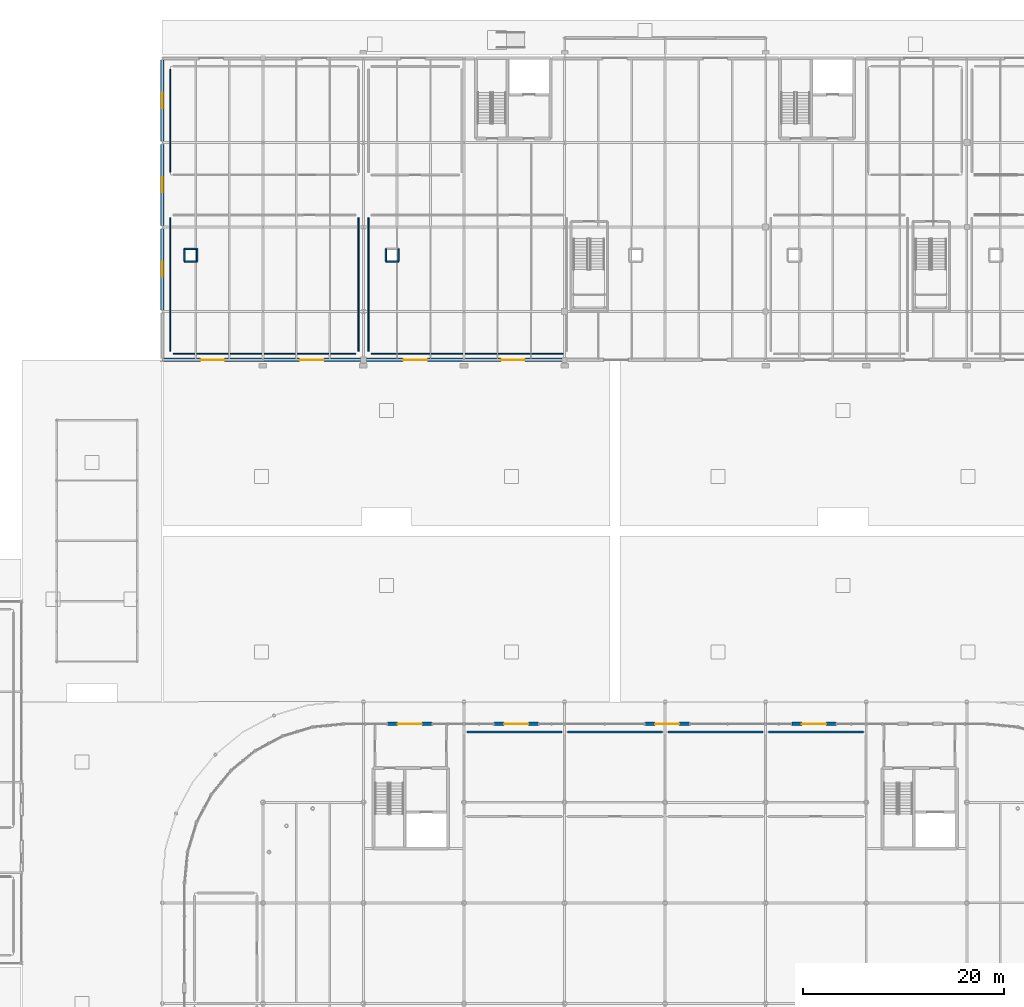
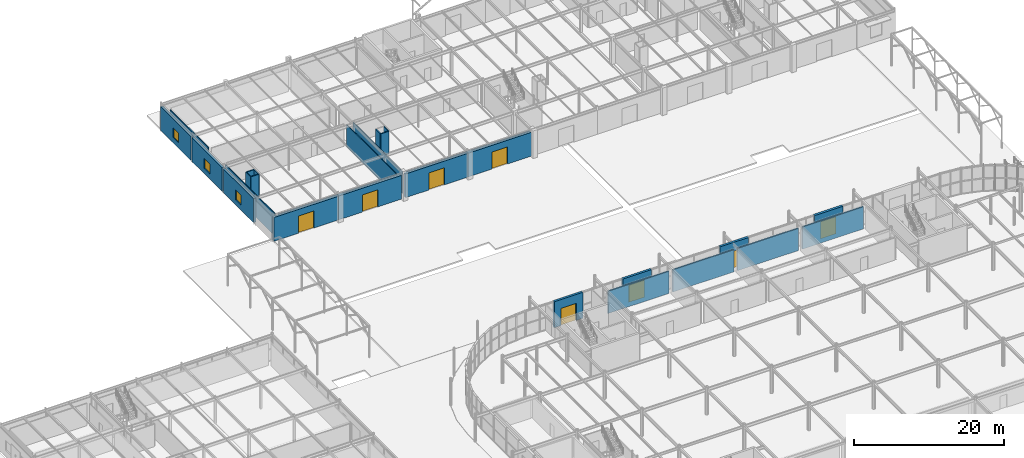
# One storey, part 91 of 119: 28 walls, 8 doors, 3 windows, 11 openings.
"""IFC4 building model written with IfcOpenShell, lengths in metres."""

from ifc_helpers import new_model, si_unit, derived_unit, direction, frame, frame_2d, origin, place, context, subcontext, project, spatial, rectangle, extrude, material, layer, layer_set, type_object, element, fill, save


model = new_model("IFC4")

# Units and contexts
model_context = context("Model", 3, precision=1e-05, world=origin(), true_north=direction((0.0, 1.0)))
body_context = subcontext(model_context, "Body", "Model", "MODEL_VIEW")
ifc_project = project(units=[si_unit("LENGTHUNIT", "METRE"), si_unit("AREAUNIT", "SQUARE_METRE"), si_unit("VOLUMEUNIT", "CUBIC_METRE"), si_unit("PLANEANGLEUNIT", "RADIAN"), si_unit("MASSUNIT", "GRAM", prefix="KILO"), derived_unit("THERMALTRANSMITTANCEUNIT", [(si_unit("POWERUNIT", "WATT"), 1), (si_unit("LENGTHUNIT", "METRE"), -2), (si_unit("THERMODYNAMICTEMPERATUREUNIT", "KELVIN"), -1)])], contexts=[model_context])

# Site, building, storey
site_placement = place(None, origin())
site = spatial("IfcSite", under=ifc_project, at=site_placement, CompositionType="ELEMENT")
building_placement = place(site_placement, origin())
building = spatial("IfcBuilding", under=site, at=building_placement, Name="Cinnabar Yard Market Hall", CompositionType="ELEMENT")
storey_placement = place(building_placement, origin())
storey = spatial("IfcBuildingStorey", under=building, at=storey_placement, Name="L00", CompositionType="ELEMENT", Elevation=0.0)

# Walls
ifc_material_1 = material(Name="Acoustic steel-stud plasterboard", Category="steel")
ifc_layer_1 = layer(ifc_material_1, 0.1201171875)
ifc_layer_set_1 = layer_set([ifc_layer_1], Name="Acoustic steel-stud plasterboard")
wall_type_1 = type_object("IfcWallType", Name="WL-PT120", PredefinedType="PARTITIONING", material=ifc_layer_set_1)
wall_1_placement = place(storey_placement, frame((67.080078125, 108.60009765625, 0.0), z_axis=(0.0, 0.0, 1.0), x_axis=(1.0, 0.0, 0.0)))
element("IfcWall", 1, at=wall_1_placement, inside=storey, type_object=wall_type_1, Name="Partition Sourdough Mill and Bakery Workshop south", PredefinedType="PARTITIONING", context=body_context, shape_type="SweptSolid", body=[
    extrude(rectangle(XDim=18.139892578125, YDim=0.1201171875, at=frame_2d((9.06982421875, 0.0), x_axis=(1.0, 0.0))), origin(), (0.0, 0.0, 1.0), 3.6201171875),
])
for number, where, z_axis, x_axis, name in (
    (2, (85.5, 108.8798828125, 0.0), (0.0, 0.0, 1.0), (0.0, 1.0, 0.0), "Partition Sourdough Mill and Bakery Workshop east"),
    (3, (66.800048828125, 122.1201171875, 0.0), (0.0, 0.0, 1.0), (0.0, -1.0, 0.0), "Partition Sourdough Mill and Bakery Workshop west"),
):
    element("IfcWall", number, at=place(storey_placement, frame(where, z_axis=z_axis, x_axis=x_axis)), inside=storey, type_object=wall_type_1, Name=name, PredefinedType="PARTITIONING", context=body_context, shape_type="SweptSolid", body=[
        extrude(rectangle(XDim=13.240234375, YDim=0.1201171875, at=frame_2d((6.6201171875, 0.0), x_axis=(1.0, 0.0))), origin(), (0.0, 0.0, 1.0), 3.6201171875),
    ])
wall_2_placement = place(storey_placement, frame((86.780029296875, 108.60009765625, 0.0), z_axis=(0.0, 0.0, 1.0), x_axis=(1.0, 0.0, 0.0)))
element("IfcWall", 4, at=wall_2_placement, inside=storey, type_object=wall_type_1, Name="Partition Olive Oil Press and Preserve Workshop south", PredefinedType="PARTITIONING", context=body_context, shape_type="SweptSolid", body=[
    extrude(rectangle(XDim=19.139892578125, YDim=0.1201171875, at=frame_2d((9.56982421875, 0.0), x_axis=(1.0, 0.0))), origin(), (0.0, 0.0, 1.0), 3.6201171875),
])
wall_3_placement = place(storey_placement, frame((86.5, 122.1201171875, 0.0), z_axis=(0.0, 0.0, 1.0), x_axis=(0.0, -1.0, 0.0)))
element("IfcWall", 5, at=wall_3_placement, inside=storey, type_object=wall_type_1, Name="Partition Olive Oil Press and Preserve Workshop west", PredefinedType="PARTITIONING", context=body_context, shape_type="SweptSolid", body=[
    extrude(rectangle(XDim=13.240234375, YDim=0.1201171875, at=frame_2d((6.6201171875, 0.0), x_axis=(1.0, 0.0))), origin(), (0.0, 0.0, 1.0), 3.6201171875),
])
wall_4_placement = place(storey_placement, frame((66.800048828125, 136.919921875, 0.0), z_axis=(0.0, 0.0, 1.0), x_axis=(0.0, -1.0, 0.0)))
element("IfcWall", 6, at=wall_4_placement, inside=storey, type_object=wall_type_1, Name="Partition Producers Community Room 01 west", PredefinedType="PARTITIONING", context=body_context, shape_type="SweptSolid", body=[
    extrude(rectangle(XDim=10.239990234375, YDim=0.1201171875, at=frame_2d((5.1201171875, 0.0), x_axis=(1.0, 0.0))), origin(), (0.0, 0.0, 1.0), 3.6201171875),
])
ifc_material_2 = material(Name="Fire-rated steel-stud plasterboard", Category="steel")
ifc_layer_2 = layer(ifc_material_2, 0.14990234375)
ifc_layer_set_2 = layer_set([ifc_layer_2], Name="Fire-rated steel-stud plasterboard")
wall_type_2 = type_object("IfcWallType", Name="WL-PT150", PredefinedType="PARTITIONING", material=ifc_layer_set_2)
for number, where, z_axis, x_axis, name in (
    (7, (68.199951171875, 117.800048828125, 0.0), (0.0, 0.0, 1.0), (1.0, 0.0, 0.0), "Service Shaft Wall L00-1-1"),
    (8, (69.449951171875, 117.800048828125, 0.0), (0.0, 0.0, 1.0), (0.0, 1.0, 0.0), "Service Shaft Wall L00-1-2"),
    (9, (69.449951171875, 119.050048828125, 0.0), (0.0, 0.0, 1.0), (-1.0, 0.0, 0.0), "Service Shaft Wall L00-1-3"),
    (10, (68.199951171875, 119.050048828125, 0.0), (0.0, 0.0, 1.0), (0.0, -1.0, 0.0), "Service Shaft Wall L00-1-4"),
    (11, (88.239990234375, 117.800048828125, 0.0), (0.0, 0.0, 1.0), (1.0, 0.0, 0.0), "Service Shaft Wall L00-2-1"),
    (12, (89.489990234375, 117.800048828125, 0.0), (0.0, 0.0, 1.0), (0.0, 1.0, 0.0), "Service Shaft Wall L00-2-2"),
    (13, (88.239990234375, 119.050048828125, 0.0), (0.0, 0.0, 1.0), (0.0, -1.0, 0.0), "Service Shaft Wall L00-2-4"),
):
    element("IfcWall", number, at=place(storey_placement, frame(where, z_axis=z_axis, x_axis=x_axis)), inside=storey, type_object=wall_type_2, Name=name, PredefinedType="PARTITIONING", context=body_context, shape_type="SweptSolid", body=[
        extrude(rectangle(XDim=1.25, YDim=0.14990234375, at=frame_2d((0.625, 0.0), x_axis=(1.0, 0.0))), origin(), (0.0, 0.0, 1.0), 3.760009765625),
    ])
ifc_material_3 = material(Name="Demountable timber-framed stall partition", Category="wood")
ifc_layer_3 = layer(ifc_material_3, 0.199951171875)
ifc_layer_set_3 = layer_set([ifc_layer_3], Name="Demountable timber-framed stall partition")
wall_type_3 = type_object("IfcWallType", Name="WL-PT200", PredefinedType="MOVABLE", material=ifc_layer_set_3)
for number, where, z_axis, x_axis, name in (
    (14, (105.719970703125, 71.0, 0.0), (0.0, 0.0, 1.0), (-1.0, 0.0, 0.0), "Partition Spice and Herb Stall 05 north"),
    (15, (115.719970703125, 71.0, 0.0), (0.0, 0.0, 1.0), (-1.0, 0.0, 0.0), "Partition South Australian Honey and Nut Stall 06 north"),
    (16, (125.719970703125, 71.0, 0.0), (0.0, 0.0, 1.0), (-1.0, 0.0, 0.0), "Partition Farmstead Dairy Stall 07 north"),
    (17, (135.719970703125, 71.0, 0.0), (0.0, 0.0, 1.0), (-1.0, 0.0, 0.0), "Partition Seafood and Oyster Stall 08 north"),
):
    element("IfcWall", number, at=place(storey_placement, frame(where, z_axis=z_axis, x_axis=x_axis)), inside=storey, type_object=wall_type_3, Name=name, PredefinedType="MOVABLE", context=body_context, shape_type="SweptSolid", body=[
        extrude(rectangle(XDim=9.43994140625, YDim=0.199951171875, at=frame_2d((4.719970703125, 0.0), x_axis=(1.0, 0.0))), origin(), (0.0, 0.0, 1.0), 3.6201171875),
    ])

# Wall, opening, door
ifc_material_4 = material(Name="Red sandstone ashlar over Concrete 32 MPa", Category="masonry")
ifc_layer_4 = layer(ifc_material_4, 0.35009765625)
ifc_layer_set_4 = layer_set([ifc_layer_4], Name="Red sandstone ashlar over Concrete 32 MPa")
wall_type_4 = type_object("IfcWallType", Name="WL-W-EXT1", PredefinedType="SOLIDWALL", material=ifc_layer_set_4)
wall_5_placement = place(storey_placement, frame((92.800048828125, 71.800048828125, 0.0), z_axis=(0.0, 0.0, 1.0), x_axis=(-1.0, 0.0, 0.0)))
wall_5 = element("IfcWall", 18, at=wall_5_placement, inside=storey, type_object=wall_type_4, Name="Market Hall North Courtyard Portal PTW", PredefinedType="SOLIDWALL", context=body_context, shape_type="SweptSolid", body=[
    extrude(rectangle(XDim=4.400146484375, YDim=0.35009765625, at=frame_2d((2.2001953125, 0.0), x_axis=(1.0, 0.0))), origin(), (0.0, 0.0, 1.0), 4.239990234375),
])
opening_1_placement = place(wall_5_placement, frame((1.0, 0.0, 0.0)))
opening_1 = element("IfcOpeningElement", 19, at=opening_1_placement, cuts=wall_5, Name="Opening ED-002", PredefinedType="OPENING", context=body_context, shape_type="SweptSolid", body=[
    extrude(rectangle(XDim=2.39990234375, YDim=2.800048828125, at=frame_2d((1.199951171875, 1.39990234375), x_axis=(1.0, 0.0))), frame((0.0, 0.18505859375, 0.0), z_axis=(0.0, -1.0, 0.0), x_axis=(1.0, 0.0, 0.0)), (0.0, 0.0, 1.0), 0.3701171875),
])
ifc_material_5 = material(Name="Anodised bronze aluminium and toughened glass", Category="aluminium")
door_type = type_object("IfcDoorType", Name="DR-D02", OperationType="NOTDEFINED", PredefinedType="DOOR", material=ifc_material_5)
door_1_placement = place(opening_1_placement, origin())
door_1 = element("IfcDoor", 20, at=door_1_placement, inside=storey, type_object=door_type, Name="Door ED-002", OperationType="DOUBLE_SWING_RIGHT", OverallHeight=2.800048828125, OverallWidth=2.39990234375, PredefinedType="DOOR", context=body_context, shape_type="SweptSolid", body=[
    extrude(rectangle(XDim=2.39990234375, YDim=2.800048828125, at=frame_2d((1.199951171875, 1.39990234375), x_axis=(1.0, 0.0))), frame((0.0, 0.02490234375, 0.0), z_axis=(0.0, -1.0, 0.0), x_axis=(1.0, 0.0, 0.0)), (0.0, 0.0, 1.0), 0.050048828125),
])
fill(opening_1, door_1)

wall_6_placement = place(storey_placement, frame((103.39990234375, 71.800048828125, 0.0), z_axis=(0.0, 0.0, 1.0), x_axis=(-1.0, 0.0, 0.0)))
wall_6 = element("IfcWall", 21, at=wall_6_placement, inside=storey, type_object=wall_type_4, Name="Market Hall North Courtyard Portal PTB2", PredefinedType="SOLIDWALL", context=body_context, shape_type="SweptSolid", body=[
    extrude(rectangle(XDim=4.39990234375, YDim=0.35009765625, at=frame_2d((2.199951171875, 0.0), x_axis=(1.0, 0.0))), origin(), (0.0, 0.0, 1.0), 4.239990234375),
])
opening_2_placement = place(wall_6_placement, frame((1.0, 0.0, 0.0)))
opening_2 = element("IfcOpeningElement", 22, at=opening_2_placement, cuts=wall_6, Name="Opening ED-004", PredefinedType="OPENING", context=body_context, shape_type="SweptSolid", body=[
    extrude(rectangle(XDim=2.39990234375, YDim=2.800048828125, at=frame_2d((1.199951171875, 1.39990234375), x_axis=(1.0, 0.0))), frame((0.0, 0.18505859375, 0.0), z_axis=(0.0, -1.0, 0.0), x_axis=(1.0, 0.0, 0.0)), (0.0, 0.0, 1.0), 0.3701171875),
])
door_2_placement = place(opening_2_placement, origin())
door_2 = element("IfcDoor", 23, at=door_2_placement, inside=storey, type_object=door_type, Name="Door ED-004", OperationType="DOUBLE_SWING_RIGHT", OverallHeight=2.800048828125, OverallWidth=2.39990234375, PredefinedType="DOOR", context=body_context, shape_type="SweptSolid", body=[
    extrude(rectangle(XDim=2.39990234375, YDim=2.800048828125, at=frame_2d((1.199951171875, 1.39990234375), x_axis=(1.0, 0.0))), frame((0.0, 0.02490234375, 0.0), z_axis=(0.0, -1.0, 0.0), x_axis=(1.0, 0.0, 0.0)), (0.0, 0.0, 1.0), 0.050048828125),
])
fill(opening_2, door_2)

wall_7_placement = place(storey_placement, frame((118.39990234375, 71.800048828125, 0.0), z_axis=(0.0, 0.0, 1.0), x_axis=(-1.0, 0.0, 0.0)))
wall_7 = element("IfcWall", 24, at=wall_7_placement, inside=storey, type_object=wall_type_4, Name="Market Hall North Courtyard Portal PT1", PredefinedType="SOLIDWALL", context=body_context, shape_type="SweptSolid", body=[
    extrude(rectangle(XDim=4.39990234375, YDim=0.35009765625, at=frame_2d((2.199951171875, 0.0), x_axis=(1.0, 0.0))), origin(), (0.0, 0.0, 1.0), 4.239990234375),
])
opening_3_placement = place(wall_7_placement, frame((1.0, 0.0, 0.0)))
opening_3 = element("IfcOpeningElement", 25, at=opening_3_placement, cuts=wall_7, Name="Opening ED-006", PredefinedType="OPENING", context=body_context, shape_type="SweptSolid", body=[
    extrude(rectangle(XDim=2.39990234375, YDim=2.800048828125, at=frame_2d((1.199951171875, 1.39990234375), x_axis=(1.0, 0.0))), frame((0.0, 0.18505859375, 0.0), z_axis=(0.0, -1.0, 0.0), x_axis=(1.0, 0.0, 0.0)), (0.0, 0.0, 1.0), 0.3701171875),
])
door_3_placement = place(opening_3_placement, origin())
door_3 = element("IfcDoor", 26, at=door_3_placement, inside=storey, type_object=door_type, Name="Door ED-006", OperationType="DOUBLE_SWING_RIGHT", OverallHeight=2.800048828125, OverallWidth=2.39990234375, PredefinedType="DOOR", context=body_context, shape_type="SweptSolid", body=[
    extrude(rectangle(XDim=2.39990234375, YDim=2.800048828125, at=frame_2d((1.199951171875, 1.39990234375), x_axis=(1.0, 0.0))), frame((0.0, 0.02490234375, 0.0), z_axis=(0.0, -1.0, 0.0), x_axis=(1.0, 0.0, 0.0)), (0.0, 0.0, 1.0), 0.050048828125),
])
fill(opening_3, door_3)

wall_8_placement = place(storey_placement, frame((133.0, 71.800048828125, 0.0), z_axis=(0.0, 0.0, 1.0), x_axis=(-1.0, 0.0, 0.0)))
wall_8 = element("IfcWall", 27, at=wall_8_placement, inside=storey, type_object=wall_type_4, Name="Market Hall North Courtyard Portal PTB5", PredefinedType="SOLIDWALL", context=body_context, shape_type="SweptSolid", body=[
    extrude(rectangle(XDim=4.39990234375, YDim=0.35009765625, at=frame_2d((2.199951171875, 0.0), x_axis=(1.0, 0.0))), origin(), (0.0, 0.0, 1.0), 4.239990234375),
])
opening_4_placement = place(wall_8_placement, frame((1.0, 0.0, 0.0)))
opening_4 = element("IfcOpeningElement", 28, at=opening_4_placement, cuts=wall_8, Name="Opening ED-008", PredefinedType="OPENING", context=body_context, shape_type="SweptSolid", body=[
    extrude(rectangle(XDim=2.39990234375, YDim=2.800048828125, at=frame_2d((1.199951171875, 1.39990234375), x_axis=(1.0, 0.0))), frame((0.0, 0.18505859375, 0.0), z_axis=(0.0, -1.0, 0.0), x_axis=(1.0, 0.0, 0.0)), (0.0, 0.0, 1.0), 0.3701171875),
])
door_4_placement = place(opening_4_placement, origin())
door_4 = element("IfcDoor", 29, at=door_4_placement, inside=storey, type_object=door_type, Name="Door ED-008", OperationType="DOUBLE_SWING_RIGHT", OverallHeight=2.800048828125, OverallWidth=2.39990234375, PredefinedType="DOOR", context=body_context, shape_type="SweptSolid", body=[
    extrude(rectangle(XDim=2.39990234375, YDim=2.800048828125, at=frame_2d((1.199951171875, 1.39990234375), x_axis=(1.0, 0.0))), frame((0.0, 0.02490234375, 0.0), z_axis=(0.0, -1.0, 0.0), x_axis=(1.0, 0.0, 0.0)), (0.0, 0.0, 1.0), 0.050048828125),
])
fill(opening_4, door_4)

wall_9_placement = place(storey_placement, frame((66.01171875, 108.0, 0.0), z_axis=(0.0, 0.0, 1.0), x_axis=(1.0, 0.0, 0.0)))
wall_9 = element("IfcWall", 30, at=wall_9_placement, inside=storey, type_object=wall_type_4, Name="Wing South Wall L00 Bay 1", PredefinedType="SOLIDWALL", context=body_context, shape_type="SweptSolid", body=[
    extrude(rectangle(XDim=9.978271484375, YDim=0.35009765625, at=frame_2d((4.9892578125, 0.0), x_axis=(1.0, 0.0))), origin(), (0.0, 0.0, 1.0), 3.8798828125),
])
opening_5_placement = place(wall_9_placement, frame((3.7890625, 0.0, 0.0)))
opening_5 = element("IfcOpeningElement", 31, at=opening_5_placement, cuts=wall_9, Name="Opening ED-021", PredefinedType="OPENING", context=body_context, shape_type="SweptSolid", body=[
    extrude(rectangle(XDim=2.39990234375, YDim=2.800048828125, at=frame_2d((1.199951171875, 1.39990234375), x_axis=(1.0, 0.0))), frame((0.0, 0.18505859375, 0.0), z_axis=(0.0, -1.0, 0.0), x_axis=(1.0, 0.0, 0.0)), (0.0, 0.0, 1.0), 0.3701171875),
])
door_5_placement = place(opening_5_placement, origin())
door_5 = element("IfcDoor", 32, at=door_5_placement, inside=storey, type_object=door_type, Name="Door ED-021", OperationType="DOUBLE_SWING_LEFT", OverallHeight=2.800048828125, OverallWidth=2.39990234375, PredefinedType="DOOR", context=body_context, shape_type="SweptSolid", body=[
    extrude(rectangle(XDim=2.39990234375, YDim=2.800048828125, at=frame_2d((1.199951171875, 1.39990234375), x_axis=(1.0, 0.0))), frame((0.0, 0.02490234375, 0.0), z_axis=(0.0, -1.0, 0.0), x_axis=(1.0, 0.0, 0.0)), (0.0, 0.0, 1.0), 0.050048828125),
])
fill(opening_5, door_5)

wall_10_placement = place(storey_placement, frame((76.010009765625, 108.0, 0.0), z_axis=(0.0, 0.0, 1.0), x_axis=(1.0, 0.0, 0.0)))
wall_10 = element("IfcWall", 33, at=wall_10_placement, inside=storey, type_object=wall_type_4, Name="Wing South Wall L00 Bay 2", PredefinedType="SOLIDWALL", context=body_context, shape_type="SweptSolid", body=[
    extrude(rectangle(XDim=9.68603515625, YDim=0.35009765625, at=frame_2d((4.843017578125, 0.0), x_axis=(1.0, 0.0))), origin(), (0.0, 0.0, 1.0), 3.8798828125),
])
opening_6_placement = place(wall_10_placement, frame((3.64306640625, 0.0, 0.0)))
opening_6 = element("IfcOpeningElement", 34, at=opening_6_placement, cuts=wall_10, Name="Opening ED-023", PredefinedType="OPENING", context=body_context, shape_type="SweptSolid", body=[
    extrude(rectangle(XDim=2.39990234375, YDim=2.800048828125, at=frame_2d((1.199951171875, 1.39990234375), x_axis=(1.0, 0.0))), frame((0.0, 0.18505859375, 0.0), z_axis=(0.0, -1.0, 0.0), x_axis=(1.0, 0.0, 0.0)), (0.0, 0.0, 1.0), 0.3701171875),
])
door_6_placement = place(opening_6_placement, origin())
door_6 = element("IfcDoor", 35, at=door_6_placement, inside=storey, type_object=door_type, Name="Door ED-023", OperationType="DOUBLE_SWING_LEFT", OverallHeight=2.800048828125, OverallWidth=2.39990234375, PredefinedType="DOOR", context=body_context, shape_type="SweptSolid", body=[
    extrude(rectangle(XDim=2.39990234375, YDim=2.800048828125, at=frame_2d((1.199951171875, 1.39990234375), x_axis=(1.0, 0.0))), frame((0.0, 0.02490234375, 0.0), z_axis=(0.0, -1.0, 0.0), x_axis=(1.0, 0.0, 0.0)), (0.0, 0.0, 1.0), 0.050048828125),
])
fill(opening_6, door_6)

wall_11_placement = place(storey_placement, frame((86.303955078125, 108.0, 0.0), z_axis=(0.0, 0.0, 1.0), x_axis=(1.0, 0.0, 0.0)))
wall_11 = element("IfcWall", 36, at=wall_11_placement, inside=storey, type_object=wall_type_4, Name="Wing South Wall L00 Bay 3", PredefinedType="SOLIDWALL", context=body_context, shape_type="SweptSolid", body=[
    extrude(rectangle(XDim=9.68603515625, YDim=0.35009765625, at=frame_2d((4.843017578125, 0.0), x_axis=(1.0, 0.0))), origin(), (0.0, 0.0, 1.0), 3.8798828125),
])
opening_7_placement = place(wall_11_placement, frame((3.64306640625, 0.0, 0.0)))
opening_7 = element("IfcOpeningElement", 37, at=opening_7_placement, cuts=wall_11, Name="Opening ED-025", PredefinedType="OPENING", context=body_context, shape_type="SweptSolid", body=[
    extrude(rectangle(XDim=2.39990234375, YDim=2.800048828125, at=frame_2d((1.199951171875, 1.39990234375), x_axis=(1.0, 0.0))), frame((0.0, 0.18505859375, 0.0), z_axis=(0.0, -1.0, 0.0), x_axis=(1.0, 0.0, 0.0)), (0.0, 0.0, 1.0), 0.3701171875),
])
door_7_placement = place(opening_7_placement, origin())
door_7 = element("IfcDoor", 38, at=door_7_placement, inside=storey, type_object=door_type, Name="Door ED-025", OperationType="DOUBLE_SWING_LEFT", OverallHeight=2.800048828125, OverallWidth=2.39990234375, PredefinedType="DOOR", context=body_context, shape_type="SweptSolid", body=[
    extrude(rectangle(XDim=2.39990234375, YDim=2.800048828125, at=frame_2d((1.199951171875, 1.39990234375), x_axis=(1.0, 0.0))), frame((0.0, 0.02490234375, 0.0), z_axis=(0.0, -1.0, 0.0), x_axis=(1.0, 0.0, 0.0)), (0.0, 0.0, 1.0), 0.050048828125),
])
fill(opening_7, door_7)

wall_12_placement = place(storey_placement, frame((96.010009765625, 108.0, 0.0), z_axis=(0.0, 0.0, 1.0), x_axis=(1.0, 0.0, 0.0)))
wall_12 = element("IfcWall", 39, at=wall_12_placement, inside=storey, type_object=wall_type_4, Name="Wing South Wall L00 Bay 4", PredefinedType="SOLIDWALL", context=body_context, shape_type="SweptSolid", body=[
    extrude(rectangle(XDim=9.736083984375, YDim=0.35009765625, at=frame_2d((4.8681640625, 0.0), x_axis=(1.0, 0.0))), origin(), (0.0, 0.0, 1.0), 3.8798828125),
])
opening_8_placement = place(wall_12_placement, frame((3.66796875, 0.0, 0.0)))
opening_8 = element("IfcOpeningElement", 40, at=opening_8_placement, cuts=wall_12, Name="Opening ED-027", PredefinedType="OPENING", context=body_context, shape_type="SweptSolid", body=[
    extrude(rectangle(XDim=2.39990234375, YDim=2.800048828125, at=frame_2d((1.199951171875, 1.39990234375), x_axis=(1.0, 0.0))), frame((0.0, 0.18505859375, 0.0), z_axis=(0.0, -1.0, 0.0), x_axis=(1.0, 0.0, 0.0)), (0.0, 0.0, 1.0), 0.3701171875),
])
door_8_placement = place(opening_8_placement, origin())
door_8 = element("IfcDoor", 41, at=door_8_placement, inside=storey, type_object=door_type, Name="Door ED-027", OperationType="DOUBLE_SWING_LEFT", OverallHeight=2.800048828125, OverallWidth=2.39990234375, PredefinedType="DOOR", context=body_context, shape_type="SweptSolid", body=[
    extrude(rectangle(XDim=2.39990234375, YDim=2.800048828125, at=frame_2d((1.199951171875, 1.39990234375), x_axis=(1.0, 0.0))), frame((0.0, 0.02490234375, 0.0), z_axis=(0.0, -1.0, 0.0), x_axis=(1.0, 0.0, 0.0)), (0.0, 0.0, 1.0), 0.050048828125),
])
fill(opening_8, door_8)

# Wall, opening, window
wall_13_placement = place(storey_placement, frame((66.0, 121.038818359375, 0.0), z_axis=(0.0, 0.0, 1.0), x_axis=(0.0, -1.0, 0.0)))
wall_13 = element("IfcWall", 42, at=wall_13_placement, inside=storey, type_object=wall_type_4, Name="Wing West End Wall L00 Seg 2", PredefinedType="SOLIDWALL", context=body_context, shape_type="SweptSolid", body=[
    extrude(rectangle(XDim=8.074462890625, YDim=0.35009765625, at=frame_2d((4.037109375, 0.0), x_axis=(1.0, 0.0))), origin(), (0.0, 0.0, 1.0), 3.8798828125),
])
opening_9_placement = place(wall_13_placement, frame((3.287109375, 0.0, 0.85009765625)))
opening_9 = element("IfcOpeningElement", 43, at=opening_9_placement, cuts=wall_13, Name="Opening W03", PredefinedType="OPENING", context=body_context, shape_type="SweptSolid", body=[
    extrude(rectangle(XDim=1.5, YDim=1.60009765625, at=frame_2d((0.75, 0.800048828125), x_axis=(1.0, 0.0))), frame((0.0, 0.18505859375, 0.0), z_axis=(0.0, -1.0, 0.0), x_axis=(1.0, 0.0, 0.0)), (0.0, 0.0, 1.0), 0.3701171875),
])
ifc_material_6 = material(Name="Low-E double glazing in bronze aluminium", Category="aluminium")
window_type = type_object("IfcWindowType", Name="WN-W03", PartitioningType="SINGLE_PANEL", PredefinedType="WINDOW", material=ifc_material_6)
window_1_placement = place(opening_9_placement, origin())
window_1 = element("IfcWindow", 44, at=window_1_placement, inside=storey, type_object=window_type, Name="Window WN-V3W-L00-2", OverallHeight=1.60009765625, OverallWidth=1.5, PartitioningType="SINGLE_PANEL", PredefinedType="WINDOW", context=body_context, shape_type="SweptSolid", body=[
    extrude(rectangle(XDim=1.5, YDim=1.60009765625, at=frame_2d((0.75, 0.800048828125), x_axis=(1.0, 0.0))), frame((0.0, 0.030029296875, 0.0), z_axis=(0.0, -1.0, 0.0), x_axis=(1.0, 0.0, 0.0)), (0.0, 0.0, 1.0), 0.06005859375),
])
fill(opening_9, window_1)

wall_14_placement = place(storey_placement, frame((66.0, 129.44189453125, 0.0), z_axis=(0.0, 0.0, 1.0), x_axis=(0.0, -1.0, 0.0)))
wall_14 = element("IfcWall", 45, at=wall_14_placement, inside=storey, type_object=wall_type_4, Name="Wing West End Wall L00 Seg 3", PredefinedType="SOLIDWALL", context=body_context, shape_type="SweptSolid", body=[
    extrude(rectangle(XDim=8.08056640625, YDim=0.35009765625, at=frame_2d((4.040283203125, 0.0), x_axis=(1.0, 0.0))), origin(), (0.0, 0.0, 1.0), 3.8798828125),
])
opening_10_placement = place(wall_14_placement, frame((3.290283203125, 0.0, 0.85009765625)))
opening_10 = element("IfcOpeningElement", 46, at=opening_10_placement, cuts=wall_14, Name="Opening W03", PredefinedType="OPENING", context=body_context, shape_type="SweptSolid", body=[
    extrude(rectangle(XDim=1.5, YDim=1.60009765625, at=frame_2d((0.75, 0.800048828125), x_axis=(1.0, 0.0))), frame((0.0, 0.18505859375, 0.0), z_axis=(0.0, -1.0, 0.0), x_axis=(1.0, 0.0, 0.0)), (0.0, 0.0, 1.0), 0.3701171875),
])
window_2_placement = place(opening_10_placement, origin())
window_2 = element("IfcWindow", 47, at=window_2_placement, inside=storey, type_object=window_type, Name="Window WN-V3W-L00-3", OverallHeight=1.60009765625, OverallWidth=1.5, PartitioningType="SINGLE_PANEL", PredefinedType="WINDOW", context=body_context, shape_type="SweptSolid", body=[
    extrude(rectangle(XDim=1.5, YDim=1.60009765625, at=frame_2d((0.75, 0.800048828125), x_axis=(1.0, 0.0))), frame((0.0, 0.030029296875, 0.0), z_axis=(0.0, -1.0, 0.0), x_axis=(1.0, 0.0, 0.0)), (0.0, 0.0, 1.0), 0.06005859375),
])
fill(opening_10, window_2)

wall_15_placement = place(storey_placement, frame((66.0, 137.830078125, 0.0), z_axis=(0.0, 0.0, 1.0), x_axis=(0.0, -1.0, 0.0)))
wall_15 = element("IfcWall", 48, at=wall_15_placement, inside=storey, type_object=wall_type_4, Name="Wing West End Wall L00 Seg 4", PredefinedType="SOLIDWALL", context=body_context, shape_type="SweptSolid", body=[
    extrude(rectangle(XDim=8.072021484375, YDim=0.35009765625, at=frame_2d((4.0361328125, 0.0), x_axis=(1.0, 0.0))), origin(), (0.0, 0.0, 1.0), 3.8798828125),
])
opening_11_placement = place(wall_15_placement, frame((3.285888671875, 0.0, 0.85009765625)))
opening_11 = element("IfcOpeningElement", 49, at=opening_11_placement, cuts=wall_15, Name="Opening W03", PredefinedType="OPENING", context=body_context, shape_type="SweptSolid", body=[
    extrude(rectangle(XDim=1.5, YDim=1.60009765625, at=frame_2d((0.75, 0.800048828125), x_axis=(1.0, 0.0))), frame((0.0, 0.18505859375, 0.0), z_axis=(0.0, -1.0, 0.0), x_axis=(1.0, 0.0, 0.0)), (0.0, 0.0, 1.0), 0.3701171875),
])
window_3_placement = place(opening_11_placement, origin())
window_3 = element("IfcWindow", 50, at=window_3_placement, inside=storey, type_object=window_type, Name="Window WN-V3W-L00-4", OverallHeight=1.60009765625, OverallWidth=1.5, PartitioningType="SINGLE_PANEL", PredefinedType="WINDOW", context=body_context, shape_type="SweptSolid", body=[
    extrude(rectangle(XDim=1.5, YDim=1.60009765625, at=frame_2d((0.75, 0.800048828125), x_axis=(1.0, 0.0))), frame((0.0, 0.030029296875, 0.0), z_axis=(0.0, -1.0, 0.0), x_axis=(1.0, 0.0, 0.0)), (0.0, 0.0, 1.0), 0.06005859375),
])
fill(opening_11, window_3)

save(model, "model.ifc")
